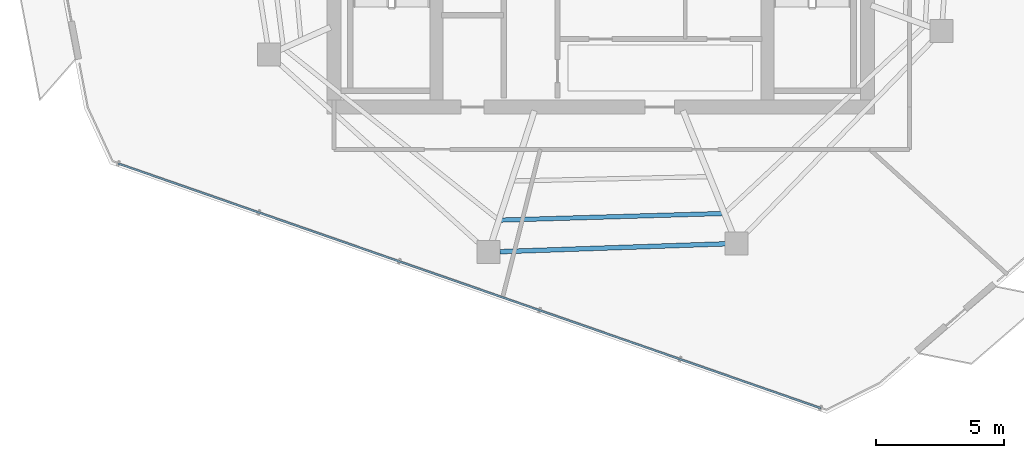
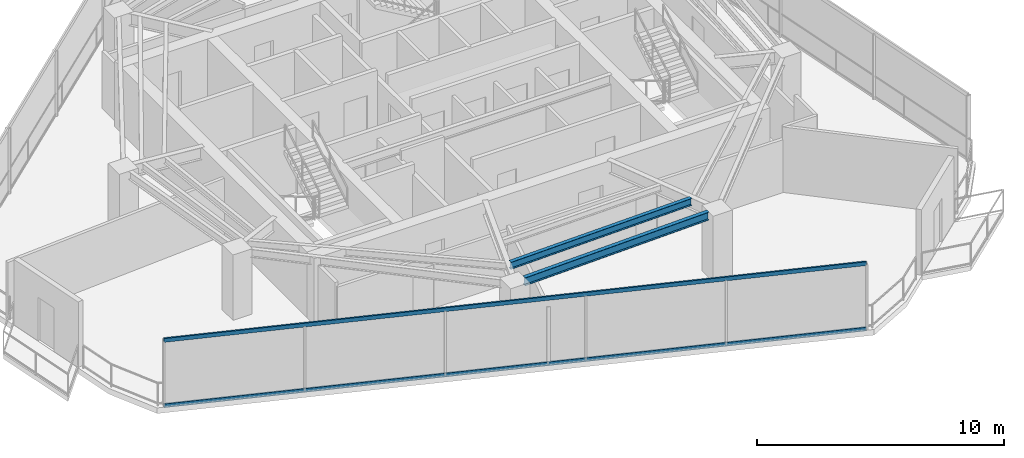
# One storey, part 3 of 18: 2 beams, 2 members, 1 element without a shape of its own.
"""IFC4 building model written with IfcOpenShell, lengths in metres."""

from ifc_helpers import new_model, si_unit, direction, frame, origin, origin_2d, place, context, subcontext, project, spatial, hollow_rectangle, i_section, extrude, material, layer, layer_set, material_profile, profile_set, type_object, element, aggregate, save


model = new_model("IFC4")

# Units and contexts
model_context = context("Model", 3, precision=1e-05, world=origin(), true_north=direction((0.0, 1.0)))
body_context = subcontext(model_context, "Body", "Model", "MODEL_VIEW")
ifc_project = project(units=[si_unit("LENGTHUNIT", "METRE"), si_unit("AREAUNIT", "SQUARE_METRE"), si_unit("VOLUMEUNIT", "CUBIC_METRE"), si_unit("PLANEANGLEUNIT", "RADIAN"), si_unit("MASSUNIT", "GRAM", prefix="KILO")], contexts=[model_context])

# Site, building, storey
site_placement = place(None, origin())
site = spatial("IfcSite", under=ifc_project, at=site_placement, CompositionType="ELEMENT")
building_placement = place(site_placement, origin())
building = spatial("IfcBuilding", under=site, at=building_placement, Name="Qarnah Convention Tower", CompositionType="ELEMENT")
storey_placement = place(building_placement, frame((0.0, 0.0, 220.199951171875)))
storey = spatial("IfcBuildingStorey", under=building, at=storey_placement, Name="L59", CompositionType="ELEMENT", Elevation=220.199951171875)

# Beams
ifc_material_1 = material(Name="Structural steel S355JR", Category="steel")
ifc_material_profile_1 = material_profile(ifc_material_1, i_section(OverallWidth=0.172119140625, OverallDepth=0.35595703125, WebThickness=0.007080078125, FlangeThickness=0.011962890625, at=origin_2d()), Name="W360X51")
ifc_profile_set_1 = profile_set([ifc_material_profile_1], Name="Structural steel S355JR")
beam_type_1 = type_object("IfcBeamType", Name="BM-JST-W360", PredefinedType="JOIST", material=ifc_profile_set_1)
beam_1_placement = place(storey_placement, frame((33.321044921875, 14.19091796875, 3.06201171875), z_axis=(0.999558625738, 0.029707805593, 0.0), x_axis=(-0.029707805593, 0.999558625738, 0.0)))
element("IfcBeam", 1, at=beam_1_placement, inside=storey, type_object=beam_type_1, Name="L59 joist BM-L59-SJST-07", PredefinedType="JOIST", context=body_context, shape_type="SweptSolid", body=[
    extrude(i_section(OverallWidth=0.172119140625, OverallDepth=0.35595703125, WebThickness=0.007080078125, FlangeThickness=0.011962890625, at=origin_2d()), origin(), (0.0, 0.0, 1.0), 8.620849609375),
])
ifc_material_profile_2 = material_profile(ifc_material_1, i_section(OverallWidth=0.179931640625, OverallDepth=0.39990234375, WebThickness=0.009033203125, FlangeThickness=0.013916015625, at=origin_2d()), Name="IPE400")
ifc_profile_set_2 = profile_set([ifc_material_profile_2], Name="Structural steel S355JR")
beam_type_2 = type_object("IfcBeamType", Name="BM-SPN-IPE400", PredefinedType="SPANDREL", material=ifc_profile_set_2)
beam_2_placement = place(storey_placement, frame((33.26708984375, 12.9580078125, 3.0400390625), z_axis=(0.999391645542, 0.034876049374, 0.0), x_axis=(-0.034876049374, 0.999391645542, 0.0)))
element("IfcBeam", 2, at=beam_2_placement, inside=storey, type_object=beam_type_2, Name="L59 spandrel BM-L59-SPN-07", PredefinedType="SPANDREL", context=body_context, shape_type="SweptSolid", body=[
    extrude(i_section(OverallWidth=0.179931640625, OverallDepth=0.39990234375, WebThickness=0.009033203125, FlangeThickness=0.013916015625, at=origin_2d()), origin(), (0.0, 0.0, 1.0), 8.79931640625),
])

# Curtain wall, members
ifc_material_2 = material(Name="Tempered Low-E dark glass", Category="glass")
ifc_layer = layer(ifc_material_2, 0.174072265625)
ifc_layer_set = layer_set([ifc_layer], Name="Tempered Low-E dark glass")
curtain_wall_type = type_object("IfcCurtainWallType", Name="CWS-04", PredefinedType="NOTDEFINED", material=ifc_layer_set)
curtain_wall_placement = place(storey_placement, origin())
curtain_wall = element("IfcCurtainWall", 3, at=curtain_wall_placement, inside=storey, type_object=curtain_wall_type, Name="L59 unitised curtain wall CW-L59-F2", PredefinedType="NOTDEFINED")
ifc_material_3 = material(Name="Black anodised aluminium", Category="aluminium")
ifc_material_profile_3 = material_profile(ifc_material_3, hollow_rectangle(XDim=0.074951171875, YDim=0.18994140625, WallThickness=0.0048828125, at=origin_2d()), Name="TRN-75X190")
ifc_profile_set_3 = profile_set([ifc_material_profile_3], Name="Black anodised aluminium")
member_type = type_object("IfcMemberType", Name="TRN-T4", PredefinedType="USERDEFINED", material=ifc_profile_set_3)
member_1_placement = place(storey_placement, frame((45.77294921875, 6.85693359375, 0.0), z_axis=(-0.944372690034, 0.328877214653, 0.0), x_axis=(-0.328877214653, -0.944372690034, 0.0)))
member_1 = element("IfcMember", 4, at=member_1_placement, type_object=member_type, Name="CW-L59-F2 transom 1", ObjectType="TRANSOM", PredefinedType="USERDEFINED", context=body_context, shape_type="SweptSolid", body=[
    extrude(hollow_rectangle(XDim=0.074951171875, YDim=0.18994140625, WallThickness=0.0048828125, at=origin_2d()), origin(), (0.0, 0.0, 1.0), 28.99609375),
])
member_2_placement = place(storey_placement, frame((45.77294921875, 6.85693359375, 3.239990234375), z_axis=(-0.944372690034, 0.328877214653, 0.0), x_axis=(-0.328877214653, -0.944372690034, 0.0)))
member_2 = element("IfcMember", 5, at=member_2_placement, type_object=member_type, Name="CW-L59-F2 transom 2", ObjectType="TRANSOM", PredefinedType="USERDEFINED", context=body_context, shape_type="SweptSolid", body=[
    extrude(hollow_rectangle(XDim=0.074951171875, YDim=0.18994140625, WallThickness=0.0048828125, at=origin_2d()), origin(), (0.0, 0.0, 1.0), 28.99609375),
])
aggregate(curtain_wall, [member_1, member_2])

save(model, "model.ifc")
